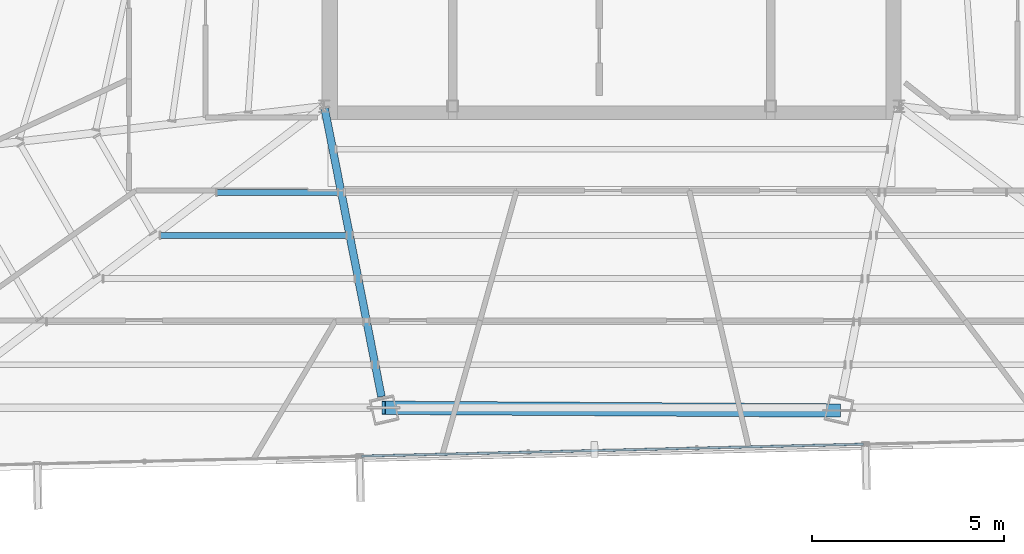
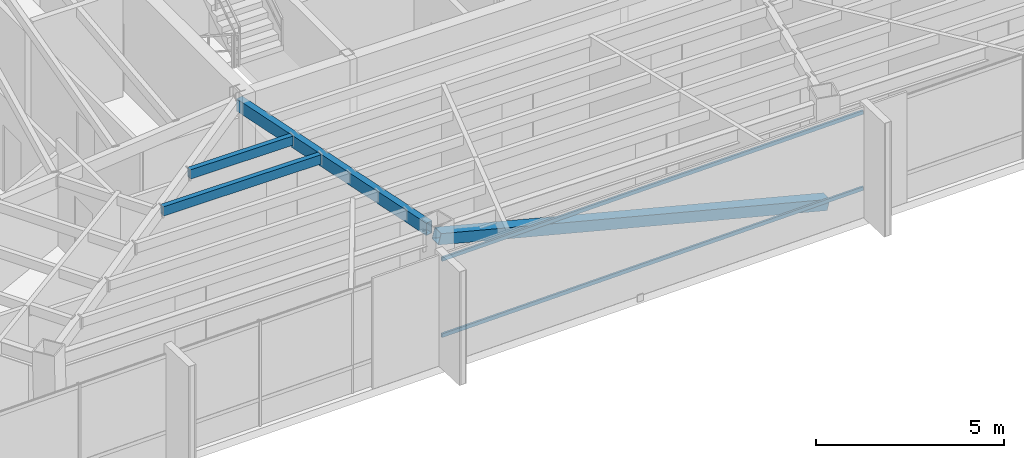
# One storey, part 12 of 45: 3 beams, 3 members, 1 element without a shape of its own.
"""IFC4 building model written with IfcOpenShell, lengths in metres."""

from ifc_helpers import new_model, si_unit, direction, frame, origin, origin_2d, place, context, subcontext, project, spatial, hollow_rectangle, extrude, source, transform, mapped, material, material_profile, profile_set, type_object, type_shapes, element, aggregate, save


model = new_model("IFC4")

# Units and contexts
model_context = context("Model", 3, precision=1e-05, world=origin(), true_north=direction((0.0, 1.0)))
body_context = subcontext(model_context, "Body", "Model", "MODEL_VIEW")
ifc_project = project(units=[si_unit("LENGTHUNIT", "METRE"), si_unit("AREAUNIT", "SQUARE_METRE"), si_unit("VOLUMEUNIT", "CUBIC_METRE"), si_unit("PLANEANGLEUNIT", "RADIAN"), si_unit("MASSUNIT", "GRAM", prefix="KILO")], contexts=[model_context])

# Site, building, storey
site_placement = place(None, origin())
site = spatial("IfcSite", under=ifc_project, at=site_placement, CompositionType="ELEMENT")
building_placement = place(site_placement, origin())
building = spatial("IfcBuilding", under=site, at=building_placement, Name="Caelisora Broadcast Tower", CompositionType="ELEMENT")
storey_placement = place(building_placement, frame((0.0, 0.0, 262.699951171875)))
storey = spatial("IfcBuildingStorey", under=building, at=storey_placement, Name="L69", CompositionType="ELEMENT", Elevation=262.699951171875)

# Beams
ifc_material_1 = material(Name="Steel Grade 350 (AS/NZS 1163 C350L0)", Category="steel")
ifc_material_profile_1 = material_profile(ifc_material_1, hollow_rectangle(XDim=0.199951171875, YDim=0.39990234375, WallThickness=0.012451171875, at=origin_2d()), Name="Steel Grade 350 (AS/NZS 1163 C350L0)")
ifc_profile_set_1 = profile_set([ifc_material_profile_1], Name="Steel Grade 350 (AS/NZS 1163 C350L0)")
beam_type_1 = type_object("IfcBeamType", Name="PG07", PredefinedType="BEAM", material=ifc_profile_set_1)
shared_shape_1 = source(origin(), body_context, "Body", "SweptSolid", [
    extrude(hollow_rectangle(XDim=0.199951171875, YDim=0.39990234375, WallThickness=0.012451171875, at=origin_2d()), origin(), (0.0, 0.0, 1.0), 7.664306640625),
])
type_shapes(beam_type_1, [shared_shape_1])
beam_1_placement = place(storey_placement, frame((30.51171875, 17.341064453125, 3.199951171875), z_axis=(0.19329132394, -0.981141408814, 0.0), x_axis=(0.981141408814, 0.19329132394, 0.0)))
element("IfcBeam", 1, at=beam_1_placement, inside=storey, type_object=beam_type_1, Name="L69 beam PG07", PredefinedType="BEAM", context=body_context, shape_type="MappedRepresentation", body=[
    mapped(shared_shape_1, transform((0.0, 0.0, 0.0), scale=1.0)),
])
ifc_material_profile_2 = material_profile(ifc_material_1, hollow_rectangle(XDim=0.14990234375, YDim=0.300048828125, WallThickness=0.010009765625, at=origin_2d()), Name="Steel Grade 350 (AS/NZS 1163 C350L0)")
ifc_profile_set_2 = profile_set([ifc_material_profile_2], Name="Steel Grade 350 (AS/NZS 1163 C350L0)")
beam_type_2 = type_object("IfcBeamType", Name="SB05", PredefinedType="JOIST", material=ifc_profile_set_2)
shared_shape_2 = source(origin(), body_context, "Body", "SweptSolid", [
    extrude(hollow_rectangle(XDim=0.14990234375, YDim=0.300048828125, WallThickness=0.010009765625, at=origin_2d()), origin(), (0.0, 0.0, 1.0), 3.138427734375),
])
beam_2_placement = place(storey_placement, frame((27.705810546875, 15.151123046875, 3.25), z_axis=(1.0, 0.0, 0.0), x_axis=(0.0, 1.0, 0.0)))
element("IfcBeam", 2, at=beam_2_placement, inside=storey, type_object=beam_type_2, Name="L69 beam SB05", PredefinedType="JOIST", context=body_context, shape_type="MappedRepresentation", body=[
    mapped(shared_shape_2, transform((0.0, 0.0, 0.0), scale=1.0)),
])
shared_shape_3 = source(origin(), body_context, "Body", "SweptSolid", [
    extrude(hollow_rectangle(XDim=0.14990234375, YDim=0.300048828125, WallThickness=0.010009765625, at=origin_2d()), origin(), (0.0, 0.0, 1.0), 4.83837890625),
])
type_shapes(beam_type_2, [shared_shape_2, shared_shape_3])
beam_3_placement = place(storey_placement, frame((26.227294921875, 14.026611328125, 3.25), z_axis=(1.0, 0.0, 0.0), x_axis=(0.0, 1.0, 0.0)))
element("IfcBeam", 3, at=beam_3_placement, inside=storey, type_object=beam_type_2, Name="L69 beam SB05", PredefinedType="JOIST", context=body_context, shape_type="MappedRepresentation", body=[
    mapped(shared_shape_3, transform((0.0, 0.0, 0.0), scale=1.0)),
])

# Member
ifc_material_2 = material(Name="Steel Grade 450 (AS/NZS 1163 C450L0)", Category="steel")
ifc_material_profile_3 = material_profile(ifc_material_2, hollow_rectangle(XDim=0.35009765625, YDim=0.35009765625, WallThickness=0.012451171875, at=origin_2d()), Name="Steel Grade 450 (AS/NZS 1163 C450L0)")
ifc_profile_set_3 = profile_set([ifc_material_profile_3], Name="Steel Grade 450 (AS/NZS 1163 C450L0)")
member_type_1 = type_object("IfcMemberType", Name="BR05", PredefinedType="BRACE", material=ifc_profile_set_3)
shared_shape_4 = source(origin(), body_context, "Body", "SweptSolid", [
    extrude(hollow_rectangle(XDim=0.35009765625, YDim=0.35009765625, WallThickness=0.012451171875, at=origin_2d()), origin(), (0.0, 0.0, 1.0), 12.255126953125),
])
type_shapes(member_type_1, [shared_shape_4])
member_1_placement = place(storey_placement, frame((32.05078125, 9.529052734375, 3.10009765625), z_axis=(0.969556987953, -0.005896748822, -0.244794761922), x_axis=(0.006081787703, 0.999981505758, 0.0)))
element("IfcMember", 4, at=member_1_placement, inside=storey, type_object=member_type_1, Name="L69 perimeter brace BR05", PredefinedType="BRACE", context=body_context, shape_type="MappedRepresentation", body=[
    mapped(shared_shape_4, transform((0.0, 0.0, 0.0), scale=1.0)),
])

# Curtain wall, members
ifc_material_3 = material(Name="Unitised Aluminium Insulated Shadow-Box Spandrel Curtain Wall", Category="aluminium")
curtain_wall_type = type_object("IfcCurtainWallType", Name="CW-SP3", PredefinedType="NOTDEFINED", material=ifc_material_3)
curtain_wall_placement = place(storey_placement, origin())
curtain_wall = element("IfcCurtainWall", 5, at=curtain_wall_placement, inside=storey, type_object=curtain_wall_type, Name="L69 curtain wall CW-SP3", PredefinedType="NOTDEFINED")
ifc_material_4 = material(Name="Aluminium 6063-T6 Anodised Terracotta Bronze", Category="aluminium")
ifc_material_profile_4 = material_profile(ifc_material_4, hollow_rectangle(XDim=0.06005859375, YDim=0.1201171875, WallThickness=0.0029296875, at=origin_2d()), Name="Aluminium 6063-T6 Anodised Terracotta Bronze")
ifc_profile_set_4 = profile_set([ifc_material_profile_4], Name="Aluminium 6063-T6 Anodised Terracotta Bronze")
member_type_2 = type_object("IfcMemberType", Name="CWT-03", PredefinedType="USERDEFINED", material=ifc_profile_set_4)
shared_shape_5 = source(origin(), body_context, "Body", "SweptSolid", [
    extrude(hollow_rectangle(XDim=0.06005859375, YDim=0.1201171875, WallThickness=0.0029296875, at=origin_2d()), origin(), (0.0, 0.0, 1.0), 13.102294921875),
])
type_shapes(member_type_2, [shared_shape_5])
member_2_placement = place(storey_placement, frame((44.573974609375, 8.578125, 0.85009765625), z_axis=(-0.999716420316, -0.02381341954, 0.0), x_axis=(0.02381341954, -0.999716420316, 0.0)))
member_2 = element("IfcMember", 6, at=member_2_placement, type_object=member_type_2, Name="L69-CW-B06 transom #1", ObjectType="TRANSOM", PredefinedType="USERDEFINED", context=body_context, shape_type="MappedRepresentation", body=[
    mapped(shared_shape_5, transform((0.0, 0.0, 0.0), scale=1.0)),
])
member_3_placement = place(storey_placement, frame((44.573974609375, 8.578125, 3.320068359375), z_axis=(-0.999716420316, -0.02381341954, 0.0), x_axis=(0.02381341954, -0.999716420316, 0.0)))
member_3 = element("IfcMember", 7, at=member_3_placement, type_object=member_type_2, Name="L69-CW-B06 transom #2", ObjectType="TRANSOM", PredefinedType="USERDEFINED", context=body_context, shape_type="MappedRepresentation", body=[
    mapped(shared_shape_5, transform((0.0, 0.0, 0.0), scale=1.0)),
])
aggregate(curtain_wall, [member_2, member_3])

save(model, "model.ifc")
